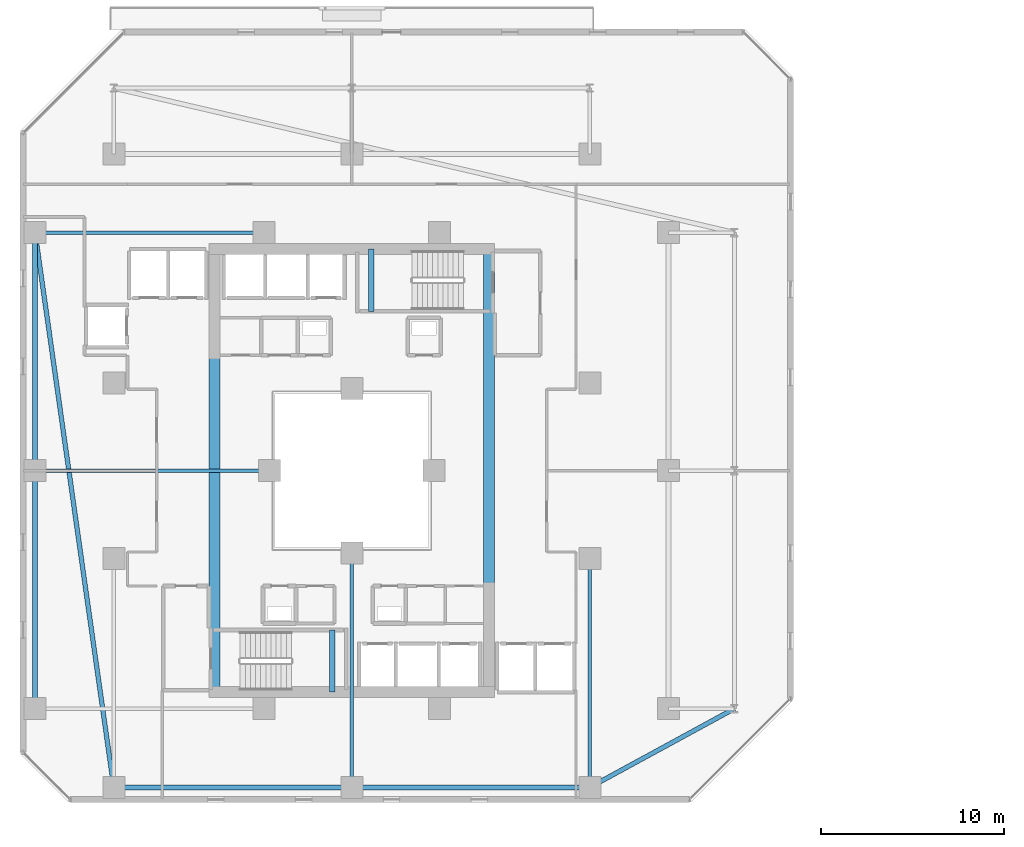
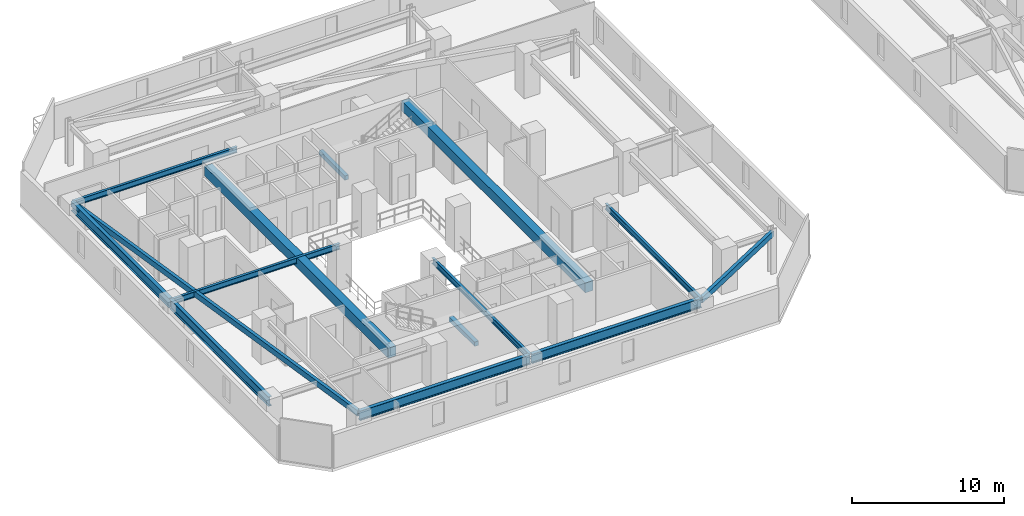
# One storey, part 4 of 29: 14 beams.
"""IFC4 building model written with IfcOpenShell, lengths in metres."""

from ifc_helpers import new_model, si_unit, direction, frame, origin, origin_2d, place, context, subcontext, project, spatial, rectangle, hollow_rectangle, i_section, extrude, material, material_profile, profile_set, type_object, element, save


model = new_model("IFC4")

# Units and contexts
model_context = context("Model", 3, precision=1e-05, world=origin(), true_north=direction((0.0, 1.0)))
body_context = subcontext(model_context, "Body", "Model", "MODEL_VIEW")
ifc_project = project(units=[si_unit("LENGTHUNIT", "METRE"), si_unit("AREAUNIT", "SQUARE_METRE"), si_unit("VOLUMEUNIT", "CUBIC_METRE"), si_unit("PLANEANGLEUNIT", "RADIAN"), si_unit("MASSUNIT", "GRAM", prefix="KILO")], contexts=[model_context])

# Site, building, storey
site_placement = place(None, origin())
site = spatial("IfcSite", under=ifc_project, at=site_placement, CompositionType="ELEMENT")
building_placement = place(site_placement, origin())
building = spatial("IfcBuilding", under=site, at=building_placement, Name="Thornwick Lancets Civic Towers", CompositionType="ELEMENT")
storey_placement = place(building_placement, frame((0.0, 0.0, 83.699951171875)))
storey = spatial("IfcBuildingStorey", under=building, at=storey_placement, Name="L21", CompositionType="ELEMENT", Elevation=83.699951171875)

# Beams
ifc_material_1 = material(Name="Concrete C60/75", Category="concrete")
ifc_material_profile_1 = material_profile(ifc_material_1, rectangle(XDim=0.60009765625, YDim=0.800048828125, at=origin_2d()), Name="RC 600x800")
ifc_profile_set_1 = profile_set([ifc_material_profile_1], Name="Concrete C60/75")
beam_type_1 = type_object("IfcBeamType", Name="BM_COUP_RC800", PredefinedType="BEAM", material=ifc_profile_set_1)
for number, where, z_axis, x_axis, name in (
    (1, (33.0, 14.89990234375, 2.9599609375), (0.0, 1.0, 0.0), (-1.0, 0.0, 0.0), "CB-L21-A1"),
    (2, (18.0, 14.89990234375, 2.9599609375), (0.0, 1.0, 0.0), (-1.0, 0.0, 0.0), "CB-L21-A2"),
):
    element("IfcBeam", number, at=place(storey_placement, frame(where, z_axis=z_axis, x_axis=x_axis)), inside=storey, type_object=beam_type_1, Name=name, PredefinedType="BEAM", context=body_context, shape_type="SweptSolid", body=[
        extrude(rectangle(XDim=0.60009765625, YDim=0.800048828125, at=origin_2d()), origin(), (0.0, 0.0, 1.0), 24.2001953125),
    ])
ifc_material_2 = material(Name="Steel S355JR", Category="steel")
ifc_material_profile_2 = material_profile(ifc_material_2, i_section(OverallWidth=0.26806640625, OverallDepth=0.769775390625, WebThickness=0.015625, FlangeThickness=0.025390625, FilletRadius=0.0166015625, at=origin_2d()), Name="UKB 762x267x197")
ifc_profile_set_2 = profile_set([ifc_material_profile_2], Name="Steel S355JR")
beam_type_2 = type_object("IfcBeamType", Name="BM_GIRD_762_197", PredefinedType="BEAM", material=ifc_profile_set_2)
beam_1_placement = place(storey_placement, frame((12.5, 9.699951171875, 2.97509765625), z_axis=(1.0, 0.0, 0.0), x_axis=(0.0, 1.0, 0.0)))
element("IfcBeam", 3, at=beam_1_placement, inside=storey, type_object=beam_type_2, Name="BM-SPINE-L21-A-0-1", PredefinedType="BEAM", context=body_context, shape_type="SweptSolid", body=[
    extrude(i_section(OverallWidth=0.26806640625, OverallDepth=0.769775390625, WebThickness=0.015625, FlangeThickness=0.025390625, FilletRadius=0.0166015625, at=origin_2d()), origin(), (0.0, 0.0, 1.0), 13.0),
])
beam_2_placement = place(storey_placement, frame((25.580078125, 9.699951171875, 2.97509765625), z_axis=(1.0, 0.0, 0.0), x_axis=(0.0, 1.0, 0.0)))
element("IfcBeam", 4, at=beam_2_placement, inside=storey, type_object=beam_type_2, Name="BM-SPINE-L21-A-1-2", PredefinedType="BEAM", context=body_context, shape_type="SweptSolid", body=[
    extrude(i_section(OverallWidth=0.26806640625, OverallDepth=0.769775390625, WebThickness=0.015625, FlangeThickness=0.025390625, FilletRadius=0.0166015625, at=origin_2d()), origin(), (0.0, 0.0, 1.0), 12.919921875),
])
beam_3_placement = place(storey_placement, frame((8.199951171875, 14.0, 2.97509765625), z_axis=(0.0, 1.0, 0.0), x_axis=(-1.0, 0.0, 0.0)))
element("IfcBeam", 5, at=beam_3_placement, inside=storey, type_object=beam_type_2, Name="BM-SPINE-L21-A-9-10", PredefinedType="BEAM", context=body_context, shape_type="SweptSolid", body=[
    extrude(i_section(OverallWidth=0.26806640625, OverallDepth=0.769775390625, WebThickness=0.015625, FlangeThickness=0.025390625, FilletRadius=0.0166015625, at=origin_2d()), origin(), (0.0, 0.0, 1.0), 13.0),
])
beam_4_placement = place(storey_placement, frame((8.199951171875, 27.080078125, 2.97509765625), z_axis=(0.0, 1.0, 0.0), x_axis=(-1.0, 0.0, 0.0)))
element("IfcBeam", 6, at=beam_4_placement, inside=storey, type_object=beam_type_2, Name="BM-SPINE-L21-A-10-11", PredefinedType="BEAM", context=body_context, shape_type="SweptSolid", body=[
    extrude(i_section(OverallWidth=0.26806640625, OverallDepth=0.769775390625, WebThickness=0.015625, FlangeThickness=0.025390625, FilletRadius=0.0166015625, at=origin_2d()), origin(), (0.0, 0.0, 1.0), 12.919921875),
])
ifc_material_profile_3 = material_profile(ifc_material_2, i_section(OverallWidth=0.19189453125, OverallDepth=0.46337890625, WebThickness=0.010498046875, FlangeThickness=0.017578125, FilletRadius=0.01025390625, at=origin_2d()), Name="UKB 457x191x89")
ifc_profile_set_3 = profile_set([ifc_material_profile_3], Name="Steel S355JR")
beam_type_3 = type_object("IfcBeamType", Name="BM_JOIST_457_89", PredefinedType="JOIST", material=ifc_profile_set_3)
beam_5_placement = place(storey_placement, frame((25.5, 22.5, 3.12841796875), z_axis=(0.0, -1.0, 0.0), x_axis=(1.0, 0.0, 0.0)))
element("IfcBeam", 7, at=beam_5_placement, inside=storey, type_object=beam_type_3, Name="BM-RADIN-L21-A02", PredefinedType="JOIST", context=body_context, shape_type="SweptSolid", body=[
    extrude(i_section(OverallWidth=0.19189453125, OverallDepth=0.46337890625, WebThickness=0.010498046875, FlangeThickness=0.017578125, FilletRadius=0.01025390625, at=origin_2d()), origin(), (0.0, 0.0, 1.0), 12.800048828125),
])
beam_6_placement = place(storey_placement, frame((38.5, 22.199951171875, 3.12841796875), z_axis=(0.0, -1.0, 0.0), x_axis=(1.0, 0.0, 0.0)))
element("IfcBeam", 8, at=beam_6_placement, inside=storey, type_object=beam_type_3, Name="BM-RADIN-L21-A03", PredefinedType="JOIST", context=body_context, shape_type="SweptSolid", body=[
    extrude(i_section(OverallWidth=0.19189453125, OverallDepth=0.46337890625, WebThickness=0.010498046875, FlangeThickness=0.017578125, FilletRadius=0.01025390625, at=origin_2d()), origin(), (0.0, 0.0, 1.0), 12.5),
])
beam_7_placement = place(storey_placement, frame((21.0, 27.0, 3.12841796875), z_axis=(-1.0, 0.0, 0.0), x_axis=(0.0, -1.0, 0.0)))
element("IfcBeam", 9, at=beam_7_placement, inside=storey, type_object=beam_type_3, Name="BM-RADIN-L21-A11", PredefinedType="JOIST", context=body_context, shape_type="SweptSolid", body=[
    extrude(i_section(OverallWidth=0.19189453125, OverallDepth=0.46337890625, WebThickness=0.010498046875, FlangeThickness=0.017578125, FilletRadius=0.01025390625, at=origin_2d()), origin(), (0.0, 0.0, 1.0), 12.800048828125),
])
beam_8_placement = place(storey_placement, frame((20.699951171875, 40.0, 3.12841796875), z_axis=(-1.0, 0.0, 0.0), x_axis=(0.0, -1.0, 0.0)))
element("IfcBeam", 10, at=beam_8_placement, inside=storey, type_object=beam_type_3, Name="BM-RADIN-L21-A12", PredefinedType="JOIST", context=body_context, shape_type="SweptSolid", body=[
    extrude(i_section(OverallWidth=0.19189453125, OverallDepth=0.46337890625, WebThickness=0.010498046875, FlangeThickness=0.017578125, FilletRadius=0.01025390625, at=origin_2d()), origin(), (0.0, 0.0, 1.0), 12.5),
])
ifc_material_profile_4 = material_profile(ifc_material_2, hollow_rectangle(XDim=0.25, YDim=0.449951171875, WallThickness=0.01611328125, at=origin_2d()), Name="RHS 450x250x16")
ifc_profile_set_4 = profile_set([ifc_material_profile_4], Name="Steel S355JR")
beam_type_4 = type_object("IfcBeamType", Name="BM_RING_RHS450", PredefinedType="BEAM", material=ifc_profile_set_4)
beam_9_placement = place(storey_placement, frame((38.5, 9.699951171875, 3.135009765625), z_axis=(0.878315357038, 0.478081722712, 0.0), x_axis=(-0.478081722712, 0.878315357038, 0.0)))
element("IfcBeam", 11, at=beam_9_placement, inside=storey, type_object=beam_type_4, Name="BM-CHAMF-L21-A-C0", PredefinedType="BEAM", context=body_context, shape_type="SweptSolid", body=[
    extrude(hollow_rectangle(XDim=0.25, YDim=0.449951171875, WallThickness=0.01611328125, at=origin_2d()), origin(), (0.0, 0.0, 1.0), 8.994384765625),
])
beam_10_placement = place(storey_placement, frame((8.199951171875, 40.0, 3.135009765625), z_axis=(0.140507712682, -0.990079584012, 0.0), x_axis=(0.990079584012, 0.140507712682, 0.0)))
element("IfcBeam", 12, at=beam_10_placement, inside=storey, type_object=beam_type_4, Name="BM-CHAMF-L21-A-C3", PredefinedType="BEAM", context=body_context, shape_type="SweptSolid", body=[
    extrude(hollow_rectangle(XDim=0.25, YDim=0.449951171875, WallThickness=0.01611328125, at=origin_2d()), origin(), (0.0, 0.0, 1.0), 30.603759765625),
])
ifc_material_3 = material(Name="Concrete C40/50", Category="concrete")
ifc_material_profile_5 = material_profile(ifc_material_3, rectangle(XDim=0.300048828125, YDim=0.35009765625, at=origin_2d()), Name="RC 300x350")
ifc_profile_set_5 = profile_set([ifc_material_profile_5], Name="Concrete C40/50")
beam_type_5 = type_object("IfcBeamType", Name="BM_STAIR_LDG", PredefinedType="BEAM", material=ifc_profile_set_5)
for number, where, z_axis, x_axis, name in (
    (13, (24.43505859375, 14.89990234375, 1.3779296875), (0.0, 1.0, 0.0), (-1.0, 0.0, 0.0), "L21 ST-A1 Landing Support Beam 1"),
    (14, (26.56494140625, 39.10009765625, 1.3779296875), (0.0, -1.0, 0.0), (1.0, 0.0, 0.0), "L21 ST-A2 Landing Support Beam 1"),
):
    element("IfcBeam", number, at=place(storey_placement, frame(where, z_axis=z_axis, x_axis=x_axis)), inside=storey, type_object=beam_type_5, Name=name, PredefinedType="BEAM", context=body_context, shape_type="SweptSolid", body=[
        extrude(rectangle(XDim=0.300048828125, YDim=0.35009765625, at=origin_2d()), origin(), (0.0, 0.0, 1.0), 3.400146484375),
    ])

save(model, "model.ifc")
